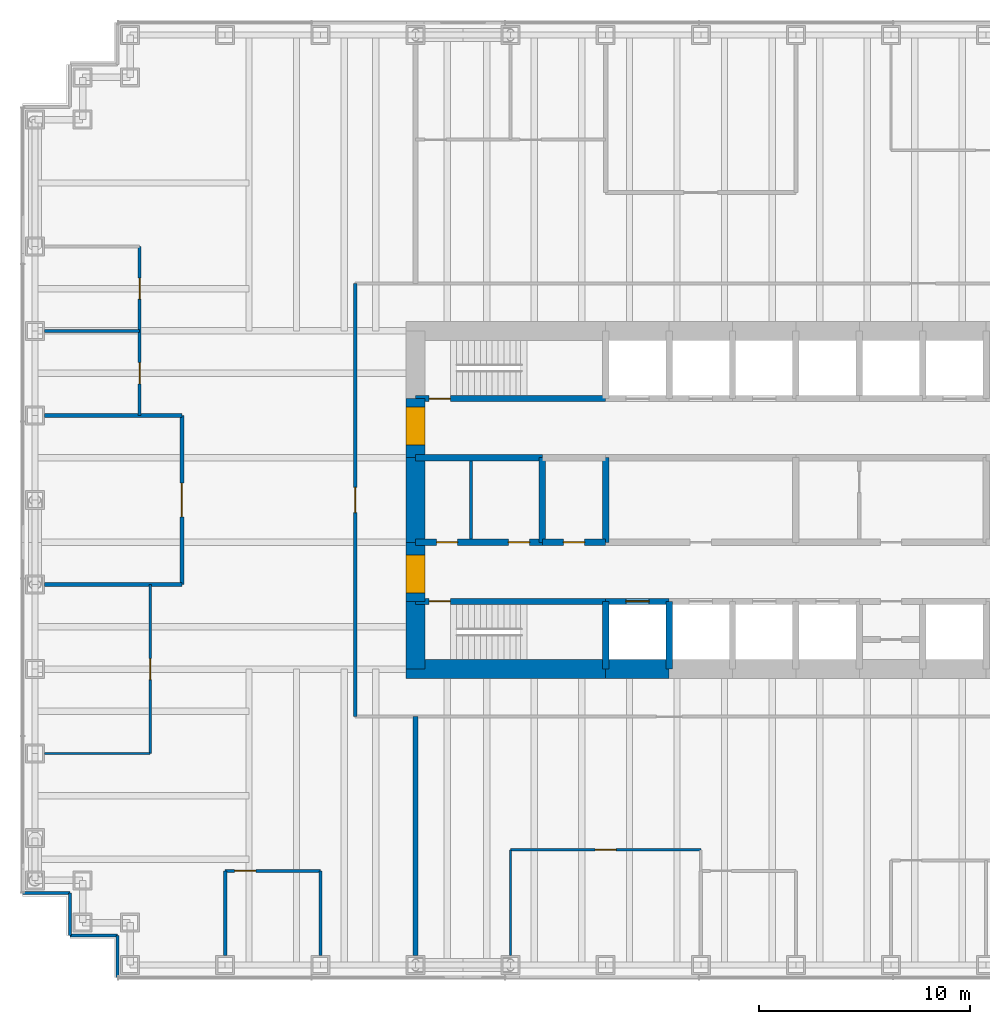
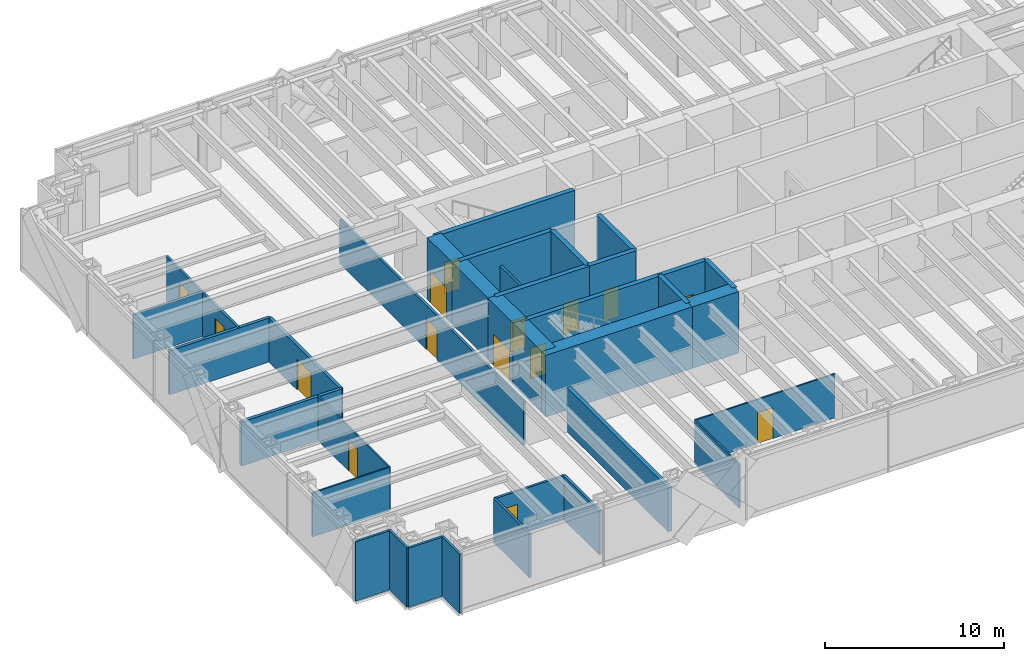
# One storey, part 13 of 17: 35 walls, 15 doors, 15 openings.
"""IFC4 building model written with IfcOpenShell, lengths in metres."""

from ifc_helpers import new_model, si_unit, direction, frame, frame_2d, origin, place, context, subcontext, project, spatial, rectangle, extrude, material, layer, layer_set, type_object, element, fill, save


model = new_model("IFC4")

# Units and contexts
model_context = context("Model", 3, precision=1e-05, world=origin(), true_north=direction((0.0, 1.0)))
body_context = subcontext(model_context, "Body", "Model", "MODEL_VIEW")
ifc_project = project(units=[si_unit("LENGTHUNIT", "METRE"), si_unit("AREAUNIT", "SQUARE_METRE"), si_unit("VOLUMEUNIT", "CUBIC_METRE"), si_unit("PLANEANGLEUNIT", "RADIAN"), si_unit("MASSUNIT", "GRAM", prefix="KILO")], contexts=[model_context])

# Site, building, storey
site_placement = place(None, origin())
site = spatial("IfcSite", under=ifc_project, at=site_placement, CompositionType="ELEMENT")
building_placement = place(site_placement, origin())
building = spatial("IfcBuilding", under=site, at=building_placement, Name="Rheinbord Bourse Tower", CompositionType="ELEMENT")
storey_placement = place(building_placement, frame((0.0, 0.0, 138.300048828125)))
storey = spatial("IfcBuildingStorey", under=building, at=storey_placement, Name="L30", CompositionType="ELEMENT", Elevation=138.300048828125)

# Walls
ifc_material_1 = material(Name="Acoustic gypsum board partition", Category="gypsum board")
ifc_layer_1 = layer(ifc_material_1, 0.199951171875)
ifc_layer_set_1 = layer_set([ifc_layer_1], Name="ACOUSTIC PARTITION 200")
wall_type_1 = type_object("IfcWallType", Name="ACOUSTIC PARTITION 200", PredefinedType="PARTITIONING", material=ifc_layer_set_1)
for number, where, z_axis, x_axis, name in (
    (1, (0.449951171875, 20.0, 0.0), (0.0, 0.0, 1.0), (1.0, 0.0, 0.0), "Partition L30-09"),
    (2, (0.449951171875, 28.0, 0.0), (0.0, 0.0, 1.0), (1.0, 0.0, 0.0), "Partition L30-11"),
):
    element("IfcWall", number, at=place(storey_placement, frame(where, z_axis=z_axis, x_axis=x_axis)), inside=storey, type_object=wall_type_1, Name=name, PredefinedType="PARTITIONING", context=body_context, shape_type="SweptSolid", body=[
        extrude(rectangle(XDim=6.5, YDim=0.199951171875, at=frame_2d((3.25, 0.0))), origin(), (0.0, 0.0, 1.0), 3.0),
    ])

# Wall, opening, door
wall_1_placement = place(storey_placement, frame((6.949951171875, 20.0, 0.0), z_axis=(0.0, 0.0, 1.0), x_axis=(0.0, 1.0, 0.0)))
wall_1 = element("IfcWall", 3, at=wall_1_placement, inside=storey, type_object=wall_type_1, Name="Partition L30-25", PredefinedType="PARTITIONING", context=body_context, shape_type="SweptSolid", body=[
    extrude(rectangle(XDim=8.0, YDim=0.199951171875, at=frame_2d((4.0, 0.0))), origin(), (0.0, 0.0, 1.0), 3.0),
])
opening_1_placement = place(wall_1_placement, frame((3.199951171875, 0.0, 0.0)))
opening_1 = element("IfcOpeningElement", 4, at=opening_1_placement, cuts=wall_1, Name="Opening 30D10", PredefinedType="OPENING", context=body_context, shape_type="SweptSolid", body=[
    extrude(rectangle(XDim=1.60009765625, YDim=2.10009765625, at=frame_2d((0.800048828125, 1.050048828125))), frame((0.0, 0.10986328125, 0.0), z_axis=(0.0, -1.0, 0.0), x_axis=(1.0, 0.0, 0.0)), (0.0, 0.0, 1.0), 0.219970703125),
])
ifc_material_2 = material(Name="Timber door", Category="wood")
door_type_1 = type_object("IfcDoorType", Name="DOUBLE ROOM DOOR 1600", OperationType="DOUBLE_DOOR_DOUBLE_SWING", PredefinedType="DOOR", material=ifc_material_2)
door_1_placement = place(opening_1_placement, origin())
door_1 = element("IfcDoor", 5, at=door_1_placement, inside=storey, type_object=door_type_1, Name="Suite boardroom door L30", OperationType="SINGLE_SWING_LEFT", OverallHeight=2.10009765625, OverallWidth=1.60009765625, PredefinedType="DOOR", context=body_context, shape_type="SweptSolid", body=[
    extrude(rectangle(XDim=1.60009765625, YDim=2.10009765625, at=frame_2d((0.800048828125, 1.050048828125))), frame((0.0, 0.02490234375, 0.0), z_axis=(0.0, -1.0, 0.0), x_axis=(1.0, 0.0, 0.0)), (0.0, 0.0, 1.0), 0.050048828125),
])
fill(opening_1, door_1)

ifc_material_3 = material(Name="Concrete C50/60", Category="concrete")
ifc_layer_2 = layer(ifc_material_3, 0.300048828125)
ifc_layer_set_2 = layer_set([ifc_layer_2], Name="CORE INNER WALL 300")
wall_type_2 = type_object("IfcWallType", Name="CORE INNER WALL 300", PredefinedType="SOLIDWALL", material=ifc_layer_set_2)
wall_2_placement = place(storey_placement, frame((18.0, 19.199951171875, 0.0), z_axis=(0.0, 0.0, 1.0), x_axis=(1.0, 0.0, 0.0)))
wall_2 = element("IfcWall", 6, at=wall_2_placement, inside=storey, type_object=wall_type_2, Name="Core wall A1 L30", PredefinedType="SOLIDWALL", context=body_context, shape_type="SweptSolid", body=[
    extrude(rectangle(XDim=9.0, YDim=0.300048828125, at=frame_2d((4.5, 0.0))), origin(), (0.0, 0.0, 1.0), 4.199951171875),
])
opening_2_placement = place(wall_2_placement, frame((0.64990234375, 0.0, 0.0)))
opening_2 = element("IfcOpeningElement", 7, at=opening_2_placement, cuts=wall_2, Name="Opening 3010", PredefinedType="OPENING", context=body_context, shape_type="SweptSolid", body=[
    extrude(rectangle(XDim=1.0, YDim=2.10009765625, at=frame_2d((0.5, 1.050048828125))), frame((0.0, 0.159912109375, 0.0), z_axis=(0.0, -1.0, 0.0), x_axis=(1.0, 0.0, 0.0)), (0.0, 0.0, 1.0), 0.320068359375),
])
ifc_material_4 = material(Name="Steel door", Category="steel")
door_type_2 = type_object("IfcDoorType", Name="DOOR 1000 EI30", OperationType="SINGLE_SWING_LEFT", PredefinedType="DOOR", material=ifc_material_4)
door_2_placement = place(opening_2_placement, origin())
door_2 = element("IfcDoor", 8, at=door_2_placement, inside=storey, type_object=door_type_2, Name="Stair door ST1 L30", OperationType="SINGLE_SWING_LEFT", OverallHeight=2.10009765625, OverallWidth=1.0, PredefinedType="DOOR", context=body_context, shape_type="SweptSolid", body=[
    extrude(rectangle(XDim=1.0, YDim=2.10009765625, at=frame_2d((0.5, 1.050048828125))), frame((0.0, 0.02490234375, 0.0), z_axis=(0.0, -1.0, 0.0), x_axis=(1.0, 0.0, 0.0)), (0.0, 0.0, 1.0), 0.050048828125),
])
fill(opening_2, door_2)

wall_3_placement = place(storey_placement, frame((27.0, 19.199951171875, 0.0), z_axis=(0.0, 0.0, 1.0), x_axis=(1.0, 0.0, 0.0)))
wall_3 = element("IfcWall", 9, at=wall_3_placement, inside=storey, type_object=wall_type_2, Name="Core wall A2 L30", PredefinedType="SOLIDWALL", context=body_context, shape_type="SweptSolid", body=[
    extrude(rectangle(XDim=3.0, YDim=0.300048828125, at=frame_2d((1.5, 0.0))), origin(), (0.0, 0.0, 1.0), 4.199951171875),
])
opening_3_placement = place(wall_3_placement, frame((0.949951171875, 0.0, 0.0)))
opening_3 = element("IfcOpeningElement", 10, at=opening_3_placement, cuts=wall_3, Name="Opening FL1", PredefinedType="OPENING", context=body_context, shape_type="SweptSolid", body=[
    extrude(rectangle(XDim=1.10009765625, YDim=2.199951171875, at=frame_2d((0.550048828125, 1.10009765625))), frame((0.0, 0.159912109375, 0.0), z_axis=(0.0, -1.0, 0.0), x_axis=(1.0, 0.0, 0.0)), (0.0, 0.0, 1.0), 0.320068359375),
])
ifc_material_5 = material(Name="Steel landing door", Category="steel")
door_type_3 = type_object("IfcDoorType", Name="LIFT LANDING DOOR 1100", OperationType="DOUBLE_DOOR_SLIDING", PredefinedType="USERDEFINED", material=ifc_material_5)
door_3_placement = place(opening_3_placement, origin())
door_3 = element("IfcDoor", 11, at=door_3_placement, inside=storey, type_object=door_type_3, Name="Lift landing door FL1 L30", ObjectType="LIFT LANDING DOOR", OperationType="DOUBLE_DOOR_SLIDING", OverallHeight=2.199951171875, OverallWidth=1.10009765625, PredefinedType="USERDEFINED", context=body_context, shape_type="SweptSolid", body=[
    extrude(rectangle(XDim=1.10009765625, YDim=2.199951171875, at=frame_2d((0.550048828125, 1.10009765625))), frame((0.0, 0.02490234375, 0.0), z_axis=(0.0, -1.0, 0.0), x_axis=(1.0, 0.0, 0.0)), (0.0, 0.0, 1.0), 0.050048828125),
])
fill(opening_3, door_3)

wall_4_placement = place(storey_placement, frame((18.0, 28.800048828125, 0.0), z_axis=(0.0, 0.0, 1.0), x_axis=(1.0, 0.0, 0.0)))
wall_4 = element("IfcWall", 12, at=wall_4_placement, inside=storey, type_object=wall_type_2, Name="Core wall B1 L30", PredefinedType="SOLIDWALL", context=body_context, shape_type="SweptSolid", body=[
    extrude(rectangle(XDim=9.0, YDim=0.300048828125, at=frame_2d((4.5, 0.0))), origin(), (0.0, 0.0, 1.0), 4.199951171875),
])
opening_4_placement = place(wall_4_placement, frame((0.64990234375, 0.0, 0.0)))
opening_4 = element("IfcOpeningElement", 13, at=opening_4_placement, cuts=wall_4, Name="Opening 3020", PredefinedType="OPENING", context=body_context, shape_type="SweptSolid", body=[
    extrude(rectangle(XDim=1.0, YDim=2.10009765625, at=frame_2d((0.5, 1.050048828125))), frame((0.0, 0.159912109375, 0.0), z_axis=(0.0, -1.0, 0.0), x_axis=(1.0, 0.0, 0.0)), (0.0, 0.0, 1.0), 0.320068359375),
])
door_4_placement = place(opening_4_placement, origin())
door_4 = element("IfcDoor", 14, at=door_4_placement, inside=storey, type_object=door_type_2, Name="Stair door ST2 L30", OperationType="SINGLE_SWING_LEFT", OverallHeight=2.10009765625, OverallWidth=1.0, PredefinedType="DOOR", context=body_context, shape_type="SweptSolid", body=[
    extrude(rectangle(XDim=1.0, YDim=2.10009765625, at=frame_2d((0.5, 1.050048828125))), frame((0.0, 0.02490234375, 0.0), z_axis=(0.0, -1.0, 0.0), x_axis=(1.0, 0.0, 0.0)), (0.0, 0.0, 1.0), 0.050048828125),
])
fill(opening_4, door_4)

# Wall, openings, doors
wall_5_placement = place(storey_placement, frame((18.0, 22.0, 0.0), z_axis=(0.0, 0.0, 1.0), x_axis=(1.0, 0.0, 0.0)))
wall_5 = element("IfcWall", 15, at=wall_5_placement, inside=storey, type_object=wall_type_2, Name="Core wall C1 L30", PredefinedType="SOLIDWALL", context=body_context, shape_type="SweptSolid", body=[
    extrude(rectangle(XDim=6.0, YDim=0.300048828125, at=frame_2d((3.0, 0.0))), origin(), (0.0, 0.0, 1.0), 4.199951171875),
])
opening_5_placement = place(wall_5_placement, frame((4.39990234375, 0.0, 0.0)))
opening_5 = element("IfcOpeningElement", 16, at=opening_5_placement, cuts=wall_5, Name="Opening 30R1", PredefinedType="OPENING", context=body_context, shape_type="SweptSolid", body=[
    extrude(rectangle(XDim=1.0, YDim=2.10009765625, at=frame_2d((0.5, 1.050048828125))), frame((0.0, 0.159912109375, 0.0), z_axis=(0.0, -1.0, 0.0), x_axis=(1.0, 0.0, 0.0)), (0.0, 0.0, 1.0), 0.320068359375),
])
opening_6_placement = place(wall_5_placement, frame((1.0, 0.0, 0.0)))
opening_6 = element("IfcOpeningElement", 17, at=opening_6_placement, cuts=wall_5, Name="Opening 30R9", PredefinedType="OPENING", context=body_context, shape_type="SweptSolid", body=[
    extrude(rectangle(XDim=1.0, YDim=2.10009765625, at=frame_2d((0.5, 1.050048828125))), frame((0.0, 0.159912109375, 0.0), z_axis=(0.0, -1.0, 0.0), x_axis=(1.0, 0.0, 0.0)), (0.0, 0.0, 1.0), 0.320068359375),
])
door_5_placement = place(opening_6_placement, origin())
door_5 = element("IfcDoor", 18, at=door_5_placement, inside=storey, type_object=door_type_2, Name="Baby change door L30", OperationType="SINGLE_SWING_LEFT", OverallHeight=2.10009765625, OverallWidth=1.0, PredefinedType="DOOR", context=body_context, shape_type="SweptSolid", body=[
    extrude(rectangle(XDim=1.0, YDim=2.10009765625, at=frame_2d((0.5, 1.050048828125))), frame((0.0, 0.02490234375, 0.0), z_axis=(0.0, -1.0, 0.0), x_axis=(1.0, 0.0, 0.0)), (0.0, 0.0, 1.0), 0.050048828125),
])
fill(opening_6, door_5)
ifc_material_6 = material(Name="Timber door", Category="wood")
door_type_4 = type_object("IfcDoorType", Name="DOOR 1000 WC", OperationType="SINGLE_SWING_LEFT", PredefinedType="DOOR", material=ifc_material_6)
door_6_placement = place(opening_5_placement, origin())
door_6 = element("IfcDoor", 19, at=door_6_placement, inside=storey, type_object=door_type_4, Name="WC men door L30", OperationType="SINGLE_SWING_RIGHT", OverallHeight=2.10009765625, OverallWidth=1.0, PredefinedType="DOOR", context=body_context, shape_type="SweptSolid", body=[
    extrude(rectangle(XDim=1.0, YDim=2.10009765625, at=frame_2d((0.5, 1.050048828125))), frame((0.0, 0.02490234375, 0.0), z_axis=(0.0, -1.0, 0.0), x_axis=(1.0, 0.0, 0.0)), (0.0, 0.0, 1.0), 0.050048828125),
])
fill(opening_5, door_6)

# Wall, opening, door
wall_6_placement = place(storey_placement, frame((24.0, 22.0, 0.0), z_axis=(0.0, 0.0, 1.0), x_axis=(1.0, 0.0, 0.0)))
wall_6 = element("IfcWall", 20, at=wall_6_placement, inside=storey, type_object=wall_type_2, Name="Core wall C2 L30", PredefinedType="SOLIDWALL", context=body_context, shape_type="SweptSolid", body=[
    extrude(rectangle(XDim=3.0, YDim=0.300048828125, at=frame_2d((1.5, 0.0))), origin(), (0.0, 0.0, 1.0), 4.199951171875),
])
opening_7_placement = place(wall_6_placement, frame((1.0, 0.0, 0.0)))
opening_7 = element("IfcOpeningElement", 21, at=opening_7_placement, cuts=wall_6, Name="Opening 30R2", PredefinedType="OPENING", context=body_context, shape_type="SweptSolid", body=[
    extrude(rectangle(XDim=1.0, YDim=2.10009765625, at=frame_2d((0.5, 1.050048828125))), frame((0.0, 0.159912109375, 0.0), z_axis=(0.0, -1.0, 0.0), x_axis=(1.0, 0.0, 0.0)), (0.0, 0.0, 1.0), 0.320068359375),
])
door_7_placement = place(opening_7_placement, origin())
door_7 = element("IfcDoor", 22, at=door_7_placement, inside=storey, type_object=door_type_2, Name="First aid room door L30", OperationType="SINGLE_SWING_LEFT", OverallHeight=2.10009765625, OverallWidth=1.0, PredefinedType="DOOR", context=body_context, shape_type="SweptSolid", body=[
    extrude(rectangle(XDim=1.0, YDim=2.10009765625, at=frame_2d((0.5, 1.050048828125))), frame((0.0, 0.02490234375, 0.0), z_axis=(0.0, -1.0, 0.0), x_axis=(1.0, 0.0, 0.0)), (0.0, 0.0, 1.0), 0.050048828125),
])
fill(opening_7, door_7)

# Walls
wall_7_placement = place(storey_placement, frame((18.0, 26.0, 0.0), z_axis=(0.0, 0.0, 1.0), x_axis=(1.0, 0.0, 0.0)))
element("IfcWall", 23, at=wall_7_placement, inside=storey, type_object=wall_type_2, Name="Core wall D1 L30", PredefinedType="SOLIDWALL", context=body_context, shape_type="SweptSolid", body=[
    extrude(rectangle(XDim=6.0, YDim=0.300048828125, at=frame_2d((3.0, 0.0))), origin(), (0.0, 0.0, 1.0), 4.199951171875),
])
for number, where, z_axis, x_axis, name in (
    (24, (27.0, 16.0, 0.0), (0.0, 0.0, 1.0), (0.0, 1.0, 0.0), "Core wall SX27 L30"),
    (25, (30.0, 16.0, 0.0), (0.0, 0.0, 1.0), (0.0, 1.0, 0.0), "Core wall SX30 L30"),
):
    element("IfcWall", number, at=place(storey_placement, frame(where, z_axis=z_axis, x_axis=x_axis)), inside=storey, type_object=wall_type_2, Name=name, PredefinedType="SOLIDWALL", context=body_context, shape_type="SweptSolid", body=[
        extrude(rectangle(XDim=3.199951171875, YDim=0.300048828125, at=frame_2d((1.60009765625, 0.0))), origin(), (0.0, 0.0, 1.0), 4.199951171875),
    ])
for number, where, z_axis, x_axis, name in (
    (26, (24.0, 22.0, 0.0), (0.0, 0.0, 1.0), (0.0, 1.0, 0.0), "Core wall MX24 L30"),
    (27, (27.0, 22.0, 0.0), (0.0, 0.0, 1.0), (0.0, 1.0, 0.0), "Core wall MX27 L30"),
):
    element("IfcWall", number, at=place(storey_placement, frame(where, z_axis=z_axis, x_axis=x_axis)), inside=storey, type_object=wall_type_2, Name=name, PredefinedType="SOLIDWALL", context=body_context, shape_type="SweptSolid", body=[
        extrude(rectangle(XDim=4.0, YDim=0.300048828125, at=frame_2d((2.0, 0.0))), origin(), (0.0, 0.0, 1.0), 4.199951171875),
    ])
ifc_material_7 = material(Name="Gypsum board fire partition", Category="gypsum board")
ifc_layer_3 = layer(ifc_material_7, 0.14990234375)
ifc_layer_set_3 = layer_set([ifc_layer_3], Name="CORE PARTITION 150 EI30")
wall_type_3 = type_object("IfcWallType", Name="CORE PARTITION 150 EI30", PredefinedType="PARTITIONING", material=ifc_layer_set_3)
wall_8_placement = place(storey_placement, frame((20.625, 22.14990234375, 0.0), z_axis=(0.0, 0.0, 1.0), x_axis=(0.0, 1.0, 0.0)))
element("IfcWall", 28, at=wall_8_placement, inside=storey, type_object=wall_type_3, Name="Core partition L30-2", PredefinedType="PARTITIONING", context=body_context, shape_type="SweptSolid", body=[
    extrude(rectangle(XDim=3.7001953125, YDim=0.14990234375, at=frame_2d((1.85009765625, 0.0))), origin(), (0.0, 0.0, 1.0), 3.0),
])
ifc_material_8 = material(Name="Concrete C50/60", Category="concrete")
ifc_layer_4 = layer(ifc_material_8, 0.89990234375)
ifc_layer_set_4 = layer_set([ifc_layer_4], Name="CORE WALL 900")
wall_type_4 = type_object("IfcWallType", Name="CORE WALL 900", PredefinedType="SHEAR", material=ifc_layer_set_4)
wall_9_placement = place(storey_placement, frame((17.550048828125, 16.0, 0.0), z_axis=(0.0, 0.0, 1.0), x_axis=(1.0, 0.0, 0.0)))
element("IfcWall", 29, at=wall_9_placement, inside=storey, type_object=wall_type_4, Name="Core wall S1 L30", PredefinedType="SHEAR", context=body_context, shape_type="SweptSolid", body=[
    extrude(rectangle(XDim=9.449951171875, YDim=0.89990234375, at=frame_2d((4.72509765625, 0.0))), origin(), (0.0, 0.0, 1.0), 4.199951171875),
])
wall_10_placement = place(storey_placement, frame((27.0, 16.0, 0.0), z_axis=(0.0, 0.0, 1.0), x_axis=(1.0, 0.0, 0.0)))
element("IfcWall", 30, at=wall_10_placement, inside=storey, type_object=wall_type_4, Name="Core wall S2 L30", PredefinedType="SHEAR", context=body_context, shape_type="SweptSolid", body=[
    extrude(rectangle(XDim=3.0, YDim=0.89990234375, at=frame_2d((1.5, 0.0))), origin(), (0.0, 0.0, 1.0), 4.199951171875),
])

# Wall, opening, door
wall_11_placement = place(storey_placement, frame((18.0, 28.800048828125, 0.0), z_axis=(0.0, 0.0, 1.0), x_axis=(0.0, -1.0, 0.0)))
wall_11 = element("IfcWall", 31, at=wall_11_placement, inside=storey, type_object=wall_type_4, Name="Core wall W2 L30", PredefinedType="SHEAR", context=body_context, shape_type="SweptSolid", body=[
    extrude(rectangle(XDim=2.800048828125, YDim=0.89990234375, at=frame_2d((1.39990234375, 0.0))), origin(), (0.0, 0.0, 1.0), 4.199951171875),
])
opening_8_placement = place(wall_11_placement, frame((0.39990234375, 0.0, 0.0)))
opening_8 = element("IfcOpeningElement", 32, at=opening_8_placement, cuts=wall_11, Name="Opening 30L2", PredefinedType="OPENING", context=body_context, shape_type="SweptSolid", body=[
    extrude(rectangle(XDim=1.800048828125, YDim=2.10009765625, at=frame_2d((0.89990234375, 1.050048828125))), frame((0.0, 0.4599609375, 0.0), z_axis=(0.0, -1.0, 0.0), x_axis=(1.0, 0.0, 0.0)), (0.0, 0.0, 1.0), 0.919921875),
])
ifc_material_9 = material(Name="Steel door", Category="steel")
door_type_5 = type_object("IfcDoorType", Name="DOOR 1800 EI30 DOUBLE", OperationType="DOUBLE_DOOR_DOUBLE_SWING", PredefinedType="DOOR", material=ifc_material_9)
door_8_placement = place(opening_8_placement, origin())
door_8 = element("IfcDoor", 33, at=door_8_placement, inside=storey, type_object=door_type_5, Name="Lobby door 2 L30", OperationType="SINGLE_SWING_LEFT", OverallHeight=2.10009765625, OverallWidth=1.800048828125, PredefinedType="DOOR", context=body_context, shape_type="SweptSolid", body=[
    extrude(rectangle(XDim=1.800048828125, YDim=2.10009765625, at=frame_2d((0.89990234375, 1.050048828125))), frame((0.0, 0.44970703125, 0.0), z_axis=(0.0, -1.0, 0.0), x_axis=(1.0, 0.0, 0.0)), (0.0, 0.0, 1.0), 0.8994140625),
])
fill(opening_8, door_8)

# Wall
wall_12_placement = place(storey_placement, frame((18.0, 26.0, 0.0), z_axis=(0.0, 0.0, 1.0), x_axis=(0.0, -1.0, 0.0)))
element("IfcWall", 34, at=wall_12_placement, inside=storey, type_object=wall_type_4, Name="Core wall W3 L30", PredefinedType="SHEAR", context=body_context, shape_type="SweptSolid", body=[
    extrude(rectangle(XDim=4.0, YDim=0.89990234375, at=frame_2d((2.0, 0.0))), origin(), (0.0, 0.0, 1.0), 4.199951171875),
])

# Wall, opening, door
wall_13_placement = place(storey_placement, frame((18.0, 22.0, 0.0), z_axis=(0.0, 0.0, 1.0), x_axis=(0.0, -1.0, 0.0)))
wall_13 = element("IfcWall", 35, at=wall_13_placement, inside=storey, type_object=wall_type_4, Name="Core wall W4 L30", PredefinedType="SHEAR", context=body_context, shape_type="SweptSolid", body=[
    extrude(rectangle(XDim=2.800048828125, YDim=0.89990234375, at=frame_2d((1.39990234375, 0.0))), origin(), (0.0, 0.0, 1.0), 4.199951171875),
])
opening_9_placement = place(wall_13_placement, frame((0.60009765625, 0.0, 0.0)))
opening_9 = element("IfcOpeningElement", 36, at=opening_9_placement, cuts=wall_13, Name="Opening 30L1", PredefinedType="OPENING", context=body_context, shape_type="SweptSolid", body=[
    extrude(rectangle(XDim=1.800048828125, YDim=2.10009765625, at=frame_2d((0.89990234375, 1.050048828125))), frame((0.0, 0.4599609375, 0.0), z_axis=(0.0, -1.0, 0.0), x_axis=(1.0, 0.0, 0.0)), (0.0, 0.0, 1.0), 0.919921875),
])
door_9_placement = place(opening_9_placement, origin())
door_9 = element("IfcDoor", 37, at=door_9_placement, inside=storey, type_object=door_type_5, Name="Lobby door 1 L30", OperationType="SINGLE_SWING_LEFT", OverallHeight=2.10009765625, OverallWidth=1.800048828125, PredefinedType="DOOR", context=body_context, shape_type="SweptSolid", body=[
    extrude(rectangle(XDim=1.800048828125, YDim=2.10009765625, at=frame_2d((0.89990234375, 1.050048828125))), frame((0.0, 0.44970703125, 0.0), z_axis=(0.0, -1.0, 0.0), x_axis=(1.0, 0.0, 0.0)), (0.0, 0.0, 1.0), 0.8994140625),
])
fill(opening_9, door_9)

# Walls
wall_14_placement = place(storey_placement, frame((18.0, 19.199951171875, 0.0), z_axis=(0.0, 0.0, 1.0), x_axis=(0.0, -1.0, 0.0)))
element("IfcWall", 38, at=wall_14_placement, inside=storey, type_object=wall_type_4, Name="Core wall W5 L30", PredefinedType="SHEAR", context=body_context, shape_type="SweptSolid", body=[
    extrude(rectangle(XDim=3.199951171875, YDim=0.89990234375, at=frame_2d((1.60009765625, 0.0))), origin(), (0.0, 0.0, 1.0), 4.199951171875),
])
ifc_material_10 = material(Name="Black metal rainscreen panel", Category="aluminium")
ifc_layer_5 = layer(ifc_material_10, 0.14990234375)
ifc_layer_set_5 = layer_set([ifc_layer_5], Name="CORNER PIER CLADDING 150")
wall_type_5 = type_object("IfcWallType", Name="CORNER PIER CLADDING 150", PredefinedType="ELEMENTEDWALL", material=ifc_layer_set_5)
wall_15_placement = place(storey_placement, frame((-0.60009765625, 5.39990234375, 0.0), z_axis=(0.0, 0.0, 1.0), x_axis=(1.0, 0.0, 0.0)))
element("IfcWall", 39, at=wall_15_placement, inside=storey, type_object=wall_type_5, Name="Corner pier cladding L30 17", PredefinedType="ELEMENTEDWALL", context=body_context, shape_type="SweptSolid", body=[
    extrude(rectangle(XDim=2.25, YDim=0.14990234375, at=frame_2d((1.125, 0.0))), origin(), (0.0, 0.0, 1.0), 4.0400390625),
])
wall_16_placement = place(storey_placement, frame((1.64990234375, 5.39990234375, 0.0), z_axis=(0.0, 0.0, 1.0), x_axis=(0.0, -1.0, 0.0)))
element("IfcWall", 40, at=wall_16_placement, inside=storey, type_object=wall_type_5, Name="Corner pier cladding L30 18", PredefinedType="ELEMENTEDWALL", context=body_context, shape_type="SweptSolid", body=[
    extrude(rectangle(XDim=2.0, YDim=0.14990234375, at=frame_2d((1.0, 0.0))), origin(), (0.0, 0.0, 1.0), 4.0400390625),
])
wall_17_placement = place(storey_placement, frame((1.64990234375, 3.39990234375, 0.0), z_axis=(0.0, 0.0, 1.0), x_axis=(1.0, 0.0, 0.0)))
element("IfcWall", 41, at=wall_17_placement, inside=storey, type_object=wall_type_5, Name="Corner pier cladding L30 19", PredefinedType="ELEMENTEDWALL", context=body_context, shape_type="SweptSolid", body=[
    extrude(rectangle(XDim=2.25, YDim=0.14990234375, at=frame_2d((1.125, 0.0))), origin(), (0.0, 0.0, 1.0), 4.0400390625),
])
wall_18_placement = place(storey_placement, frame((3.89990234375, 3.39990234375, 0.0), z_axis=(0.0, 0.0, 1.0), x_axis=(0.0, -1.0, 0.0)))
element("IfcWall", 42, at=wall_18_placement, inside=storey, type_object=wall_type_5, Name="Corner pier cladding L30 20", PredefinedType="ELEMENTEDWALL", context=body_context, shape_type="SweptSolid", body=[
    extrude(rectangle(XDim=2.0, YDim=0.14990234375, at=frame_2d((1.0, 0.0))), origin(), (0.0, 0.0, 1.0), 4.0400390625),
])

# Wall, opening, door
ifc_material_11 = material(Name="Gypsum board corridor partition", Category="gypsum board")
ifc_layer_6 = layer(ifc_material_11, 0.14990234375)
ifc_layer_set_6 = layer_set([ifc_layer_6], Name="CORRIDOR PARTITION 150 EI30")
wall_type_6 = type_object("IfcWallType", Name="CORRIDOR PARTITION 150 EI30", PredefinedType="PARTITIONING", material=ifc_layer_set_6)
wall_19_placement = place(storey_placement, frame((15.14990234375, 13.75, 0.0), z_axis=(0.0, 0.0, 1.0), x_axis=(0.0, 1.0, 0.0)))
wall_19 = element("IfcWall", 43, at=wall_19_placement, inside=storey, type_object=wall_type_6, Name="Partition L30-28", PredefinedType="PARTITIONING", context=body_context, shape_type="SweptSolid", body=[
    extrude(rectangle(XDim=20.5, YDim=0.14990234375, at=frame_2d((10.25, 0.0))), origin(), (0.0, 0.0, 1.0), 3.0),
])
opening_10_placement = place(wall_19_placement, frame((9.64990234375, 0.0, 0.0)))
opening_10 = element("IfcOpeningElement", 44, at=opening_10_placement, cuts=wall_19, Name="Opening 30D22", PredefinedType="OPENING", context=body_context, shape_type="SweptSolid", body=[
    extrude(rectangle(XDim=1.199951171875, YDim=2.10009765625, at=frame_2d((0.60009765625, 1.050048828125))), frame((0.0, 0.0849609375, 0.0), z_axis=(0.0, -1.0, 0.0), x_axis=(1.0, 0.0, 0.0)), (0.0, 0.0, 1.0), 0.169921875),
])
ifc_material_12 = material(Name="Timber fire door", Category="wood")
door_type_6 = type_object("IfcDoorType", Name="SUITE ENTRANCE DOOR 1200 EI30", OperationType="SINGLE_SWING_LEFT", PredefinedType="DOOR", material=ifc_material_12)
door_10_placement = place(opening_10_placement, origin())
door_10 = element("IfcDoor", 45, at=door_10_placement, inside=storey, type_object=door_type_6, Name="Suite entrance 1 door L30", OperationType="SINGLE_SWING_LEFT", OverallHeight=2.10009765625, OverallWidth=1.199951171875, PredefinedType="DOOR", context=body_context, shape_type="SweptSolid", body=[
    extrude(rectangle(XDim=1.199951171875, YDim=2.10009765625, at=frame_2d((0.60009765625, 1.050048828125))), frame((0.0, 0.02490234375, 0.0), z_axis=(0.0, -1.0, 0.0), x_axis=(1.0, 0.0, 0.0)), (0.0, 0.0, 1.0), 0.050048828125),
])
fill(opening_10, door_10)

# Wall
ifc_material_13 = material(Name="Gypsum board tenancy wall", Category="gypsum board")
ifc_layer_7 = layer(ifc_material_13, 0.25)
ifc_layer_set_7 = layer_set([ifc_layer_7], Name="DEMISING PARTITION 250 EI60")
wall_type_7 = type_object("IfcWallType", Name="DEMISING PARTITION 250 EI60", PredefinedType="PARTITIONING", material=ifc_layer_set_7)
wall_20_placement = place(storey_placement, frame((18.0, 2.449951171875, 0.0), z_axis=(0.0, 0.0, 1.0), x_axis=(0.0, 1.0, 0.0)))
element("IfcWall", 46, at=wall_20_placement, inside=storey, type_object=wall_type_7, Name="Partition L30-29", PredefinedType="PARTITIONING", context=body_context, shape_type="SweptSolid", body=[
    extrude(rectangle(XDim=11.300048828125, YDim=0.25, at=frame_2d((5.64990234375, 0.0))), origin(), (0.0, 0.0, 1.0), 3.0),
])

# Wall, opening, door
ifc_material_14 = material(Name="Toughened laminated glass partition", Category="glass")
ifc_layer_8 = layer(ifc_material_14, 0.10009765625)
ifc_layer_set_8 = layer_set([ifc_layer_8], Name="GLAZED PARTITION 100")
wall_type_8 = type_object("IfcWallType", Name="GLAZED PARTITION 100", PredefinedType="PARTITIONING", material=ifc_layer_set_8)
wall_21_placement = place(storey_placement, frame((22.5, 7.449951171875, 0.0), z_axis=(0.0, 0.0, 1.0), x_axis=(1.0, 0.0, 0.0)))
wall_21 = element("IfcWall", 47, at=wall_21_placement, inside=storey, type_object=wall_type_8, Name="Partition L30-04", PredefinedType="PARTITIONING", context=body_context, shape_type="SweptSolid", body=[
    extrude(rectangle(XDim=9.0, YDim=0.10009765625, at=frame_2d((4.5, 0.0))), origin(), (0.0, 0.0, 1.0), 3.0),
])
opening_11_placement = place(wall_21_placement, frame((4.0, 0.0, 0.0)))
opening_11 = element("IfcOpeningElement", 48, at=opening_11_placement, cuts=wall_21, Name="Opening 30D06", PredefinedType="OPENING", context=body_context, shape_type="SweptSolid", body=[
    extrude(rectangle(XDim=1.0, YDim=2.10009765625, at=frame_2d((0.5, 1.050048828125))), frame((0.0, 0.06005859375, 0.0), z_axis=(0.0, -1.0, 0.0), x_axis=(1.0, 0.0, 0.0)), (0.0, 0.0, 1.0), 0.1201171875),
])
ifc_material_15 = material(Name="Timber door", Category="wood")
door_type_7 = type_object("IfcDoorType", Name="ROOM DOOR 1000", OperationType="SINGLE_SWING_LEFT", PredefinedType="DOOR", material=ifc_material_15)
door_11_placement = place(opening_11_placement, origin())
door_11 = element("IfcDoor", 49, at=door_11_placement, inside=storey, type_object=door_type_7, Name="Meeting room door L30", OperationType="SINGLE_SWING_LEFT", OverallHeight=2.10009765625, OverallWidth=1.0, PredefinedType="DOOR", context=body_context, shape_type="SweptSolid", body=[
    extrude(rectangle(XDim=1.0, YDim=2.10009765625, at=frame_2d((0.5, 1.050048828125))), frame((0.0, 0.02490234375, 0.0), z_axis=(0.0, -1.0, 0.0), x_axis=(1.0, 0.0, 0.0)), (0.0, 0.0, 1.0), 0.050048828125),
])
fill(opening_11, door_11)

# Wall
wall_22_placement = place(storey_placement, frame((0.449951171875, 12.0, 0.0), z_axis=(0.0, 0.0, 1.0), x_axis=(1.0, 0.0, 0.0)))
element("IfcWall", 50, at=wall_22_placement, inside=storey, type_object=wall_type_8, Name="Partition L30-06", PredefinedType="PARTITIONING", context=body_context, shape_type="SweptSolid", body=[
    extrude(rectangle(XDim=5.0, YDim=0.10009765625, at=frame_2d((2.5, 0.0))), origin(), (0.0, 0.0, 1.0), 3.0),
])

# Wall, opening, door
wall_23_placement = place(storey_placement, frame((5.449951171875, 12.0, 0.0), z_axis=(0.0, 0.0, 1.0), x_axis=(0.0, 1.0, 0.0)))
wall_23 = element("IfcWall", 51, at=wall_23_placement, inside=storey, type_object=wall_type_8, Name="Partition L30-24", PredefinedType="PARTITIONING", context=body_context, shape_type="SweptSolid", body=[
    extrude(rectangle(XDim=8.0, YDim=0.10009765625, at=frame_2d((4.0, 0.0))), origin(), (0.0, 0.0, 1.0), 3.0),
])
opening_12_placement = place(wall_23_placement, frame((3.5, 0.0, 0.0)))
opening_12 = element("IfcOpeningElement", 52, at=opening_12_placement, cuts=wall_23, Name="Opening 30D09", PredefinedType="OPENING", context=body_context, shape_type="SweptSolid", body=[
    extrude(rectangle(XDim=1.0, YDim=2.10009765625, at=frame_2d((0.5, 1.050048828125))), frame((0.0, 0.06005859375, 0.0), z_axis=(0.0, -1.0, 0.0), x_axis=(1.0, 0.0, 0.0)), (0.0, 0.0, 1.0), 0.1201171875),
])
door_12_placement = place(opening_12_placement, origin())
door_12 = element("IfcDoor", 53, at=door_12_placement, inside=storey, type_object=door_type_7, Name="Meeting room door L30", OperationType="SINGLE_SWING_LEFT", OverallHeight=2.10009765625, OverallWidth=1.0, PredefinedType="DOOR", context=body_context, shape_type="SweptSolid", body=[
    extrude(rectangle(XDim=1.0, YDim=2.10009765625, at=frame_2d((0.5, 1.050048828125))), frame((0.0, 0.02490234375, 0.0), z_axis=(0.0, -1.0, 0.0), x_axis=(1.0, 0.0, 0.0)), (0.0, 0.0, 1.0), 0.050048828125),
])
fill(opening_12, door_12)

# Wall
wall_24_placement = place(storey_placement, frame((22.5, 2.449951171875, 0.0), z_axis=(0.0, 0.0, 1.0), x_axis=(0.0, 1.0, 0.0)))
element("IfcWall", 54, at=wall_24_placement, inside=storey, type_object=wall_type_8, Name="Partition L30-31", PredefinedType="PARTITIONING", context=body_context, shape_type="SweptSolid", body=[
    extrude(rectangle(XDim=5.0, YDim=0.10009765625, at=frame_2d((2.5, 0.0))), origin(), (0.0, 0.0, 1.0), 3.0),
])

# Wall, opening, door
ifc_material_16 = material(Name="Gypsum board partition", Category="gypsum board")
ifc_layer_9 = layer(ifc_material_16, 0.14990234375)
ifc_layer_set_9 = layer_set([ifc_layer_9], Name="PARTITION 150")
wall_type_9 = type_object("IfcWallType", Name="PARTITION 150", PredefinedType="PARTITIONING", material=ifc_layer_set_9)
wall_25_placement = place(storey_placement, frame((9.0, 6.449951171875, 0.0), z_axis=(0.0, 0.0, 1.0), x_axis=(1.0, 0.0, 0.0)))
wall_25 = element("IfcWall", 55, at=wall_25_placement, inside=storey, type_object=wall_type_9, Name="Partition L30-01", PredefinedType="PARTITIONING", context=body_context, shape_type="SweptSolid", body=[
    extrude(rectangle(XDim=4.5, YDim=0.14990234375, at=frame_2d((2.25, 0.0))), origin(), (0.0, 0.0, 1.0), 3.0),
])
opening_13_placement = place(wall_25_placement, frame((0.449951171875, 0.0, 0.0)))
opening_13 = element("IfcOpeningElement", 56, at=opening_13_placement, cuts=wall_25, Name="Opening 30D01", PredefinedType="OPENING", context=body_context, shape_type="SweptSolid", body=[
    extrude(rectangle(XDim=1.0, YDim=2.10009765625, at=frame_2d((0.5, 1.050048828125))), frame((0.0, 0.0849609375, 0.0), z_axis=(0.0, -1.0, 0.0), x_axis=(1.0, 0.0, 0.0)), (0.0, 0.0, 1.0), 0.169921875),
])
door_13_placement = place(opening_13_placement, origin())
door_13 = element("IfcDoor", 57, at=door_13_placement, inside=storey, type_object=door_type_7, Name="Kitchenette door L30", OperationType="SINGLE_SWING_LEFT", OverallHeight=2.10009765625, OverallWidth=1.0, PredefinedType="DOOR", context=body_context, shape_type="SweptSolid", body=[
    extrude(rectangle(XDim=1.0, YDim=2.10009765625, at=frame_2d((0.5, 1.050048828125))), frame((0.0, 0.02490234375, 0.0), z_axis=(0.0, -1.0, 0.0), x_axis=(1.0, 0.0, 0.0)), (0.0, 0.0, 1.0), 0.050048828125),
])
fill(opening_13, door_13)

# Wall
wall_26_placement = place(storey_placement, frame((0.449951171875, 32.0, 0.0), z_axis=(0.0, 0.0, 1.0), x_axis=(1.0, 0.0, 0.0)))
element("IfcWall", 58, at=wall_26_placement, inside=storey, type_object=wall_type_9, Name="Partition L30-13", PredefinedType="PARTITIONING", context=body_context, shape_type="SweptSolid", body=[
    extrude(rectangle(XDim=4.5, YDim=0.14990234375, at=frame_2d((2.25, 0.0))), origin(), (0.0, 0.0, 1.0), 3.0),
])

# Wall, openings, doors
wall_27_placement = place(storey_placement, frame((4.949951171875, 28.0, 0.0), z_axis=(0.0, 0.0, 1.0), x_axis=(0.0, 1.0, 0.0)))
wall_27 = element("IfcWall", 59, at=wall_27_placement, inside=storey, type_object=wall_type_9, Name="Partition L30-23", PredefinedType="PARTITIONING", context=body_context, shape_type="SweptSolid", body=[
    extrude(rectangle(XDim=8.0, YDim=0.14990234375, at=frame_2d((4.0, 0.0))), origin(), (0.0, 0.0, 1.0), 3.0),
])
opening_14_placement = place(wall_27_placement, frame((1.5, 0.0, 0.0)))
opening_14 = element("IfcOpeningElement", 60, at=opening_14_placement, cuts=wall_27, Name="Opening 30D12", PredefinedType="OPENING", context=body_context, shape_type="SweptSolid", body=[
    extrude(rectangle(XDim=1.0, YDim=2.10009765625, at=frame_2d((0.5, 1.050048828125))), frame((0.0, 0.0849609375, 0.0), z_axis=(0.0, -1.0, 0.0), x_axis=(1.0, 0.0, 0.0)), (0.0, 0.0, 1.0), 0.169921875),
])
opening_15_placement = place(wall_27_placement, frame((5.5, 0.0, 0.0)))
opening_15 = element("IfcOpeningElement", 61, at=opening_15_placement, cuts=wall_27, Name="Opening 30D14", PredefinedType="OPENING", context=body_context, shape_type="SweptSolid", body=[
    extrude(rectangle(XDim=1.0, YDim=2.10009765625, at=frame_2d((0.5, 1.050048828125))), frame((0.0, 0.0849609375, 0.0), z_axis=(0.0, -1.0, 0.0), x_axis=(1.0, 0.0, 0.0)), (0.0, 0.0, 1.0), 0.169921875),
])
door_14_placement = place(opening_14_placement, origin())
door_14 = element("IfcDoor", 62, at=door_14_placement, inside=storey, type_object=door_type_7, Name="Office door L30", OperationType="SINGLE_SWING_LEFT", OverallHeight=2.10009765625, OverallWidth=1.0, PredefinedType="DOOR", context=body_context, shape_type="SweptSolid", body=[
    extrude(rectangle(XDim=1.0, YDim=2.10009765625, at=frame_2d((0.5, 1.050048828125))), frame((0.0, 0.02490234375, 0.0), z_axis=(0.0, -1.0, 0.0), x_axis=(1.0, 0.0, 0.0)), (0.0, 0.0, 1.0), 0.050048828125),
])
fill(opening_14, door_14)
door_15_placement = place(opening_15_placement, origin())
door_15 = element("IfcDoor", 63, at=door_15_placement, inside=storey, type_object=door_type_7, Name="Office door L30", OperationType="SINGLE_SWING_RIGHT", OverallHeight=2.10009765625, OverallWidth=1.0, PredefinedType="DOOR", context=body_context, shape_type="SweptSolid", body=[
    extrude(rectangle(XDim=1.0, YDim=2.10009765625, at=frame_2d((0.5, 1.050048828125))), frame((0.0, 0.02490234375, 0.0), z_axis=(0.0, -1.0, 0.0), x_axis=(1.0, 0.0, 0.0)), (0.0, 0.0, 1.0), 0.050048828125),
])
fill(opening_15, door_15)

# Walls
for number, where, z_axis, x_axis, name in (
    (64, (9.0, 2.449951171875, 0.0), (0.0, 0.0, 1.0), (0.0, 1.0, 0.0), "Partition L30-26"),
    (65, (13.5, 2.449951171875, 0.0), (0.0, 0.0, 1.0), (0.0, 1.0, 0.0), "Partition L30-27"),
):
    element("IfcWall", number, at=place(storey_placement, frame(where, z_axis=z_axis, x_axis=x_axis)), inside=storey, type_object=wall_type_9, Name=name, PredefinedType="PARTITIONING", context=body_context, shape_type="SweptSolid", body=[
        extrude(rectangle(XDim=4.0, YDim=0.14990234375, at=frame_2d((2.0, 0.0))), origin(), (0.0, 0.0, 1.0), 3.0),
    ])

save(model, "model.ifc")
